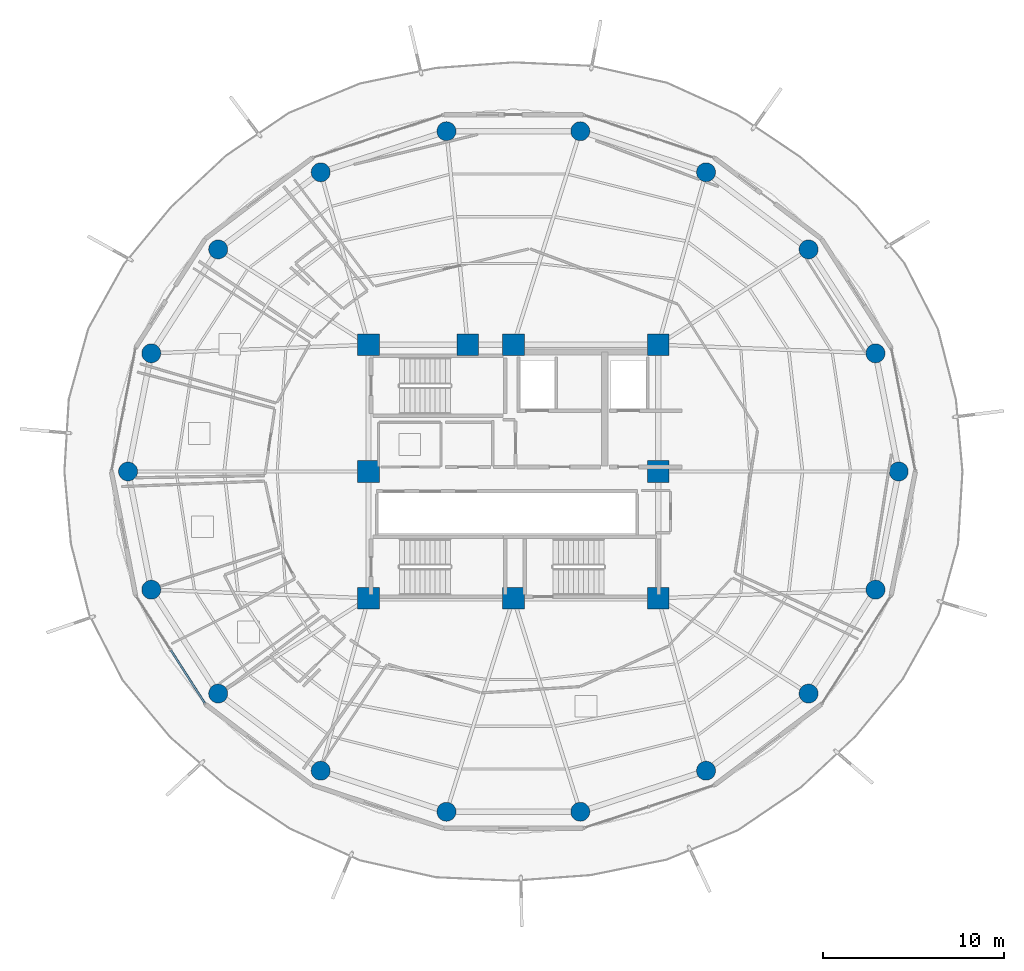
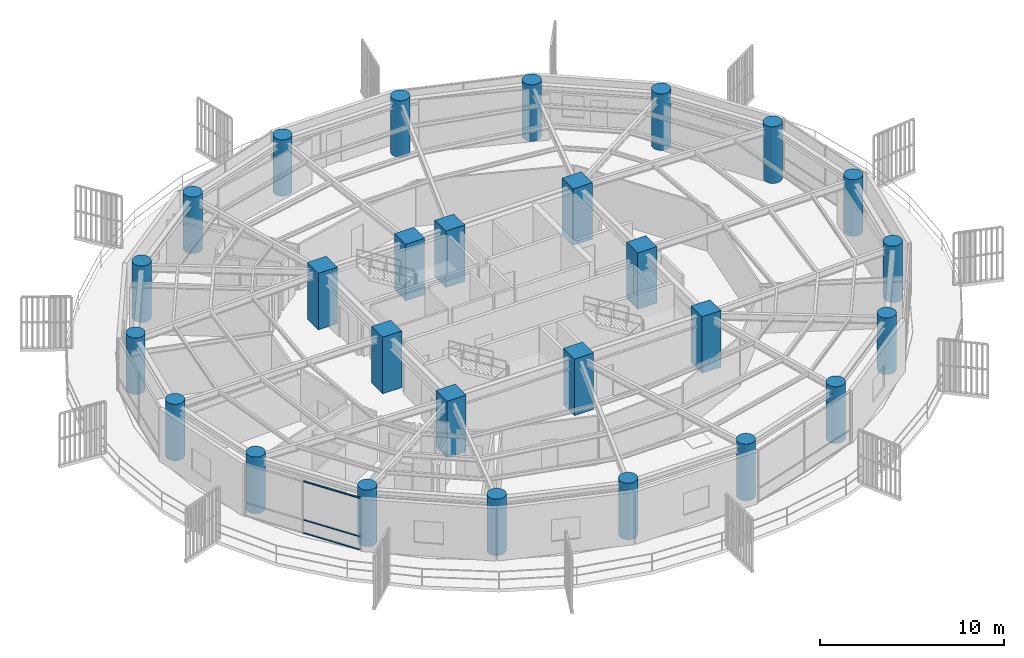
# One storey, part 1 of 30: 27 columns, 3 members, 1 element without a shape of its own.
"""IFC4 building model written with IfcOpenShell, lengths in metres."""

import ifcopenshell
import ifcopenshell.guid

model = None  # the IFC model being written
_history = None  # IfcOwnerHistory: only IFC2X3 demands one
_inside = {}  # id of a spatial element -> (the spatial element, [elements in it])
_under = {}  # id of a project, library or spatial element -> (it, [spatial elements below it])
_declared = {}  # id of a project -> (the project, [libraries it declares])
_typed = {}  # id of a type object -> (the type object, [elements of that type])
_made_of = {}  # id of a material, layer set ... -> (it, [elements and type objects made of it])


def new_model(schema):
    """Start an empty IFC model of exactly this schema.

    Asked for "IFC4X3", IfcOpenShell would pick the latest addendum, in which some entities
    have other attributes; the version numbers below select the first issue.
    IFC2X3 requires an IfcOwnerHistory on every rooted entity: one is made here for all.
    """
    global model, _history
    if schema == "IFC4X3":
        model = ifcopenshell.file(schema_version=(4, 3, 0, 0))
    else:
        model = ifcopenshell.file(schema=schema)
    _inside.clear()
    _under.clear()
    _declared.clear()
    _typed.clear()
    _made_of.clear()
    _history = None
    if model.schema == "IFC2X3":
        org = make("IfcOrganization", Name="unknown")
        user = make(
            "IfcPersonAndOrganization",
            ThePerson=make("IfcPerson", FamilyName="unknown"),
            TheOrganization=org,
        )
        app = make(
            "IfcApplication",
            ApplicationDeveloper=org,
            Version="unknown",
            ApplicationFullName="unknown",
            ApplicationIdentifier="unknown",
        )
        _history = make(
            "IfcOwnerHistory",
            OwningUser=user,
            OwningApplication=app,
            ChangeAction="ADDED",
            CreationDate=0,
        )
    return model


def make(cls, **values):
    """One entity of the class cls with the attributes given. An attribute that is None is left unset."""
    return model.create_entity(
        cls, **{name: value for name, value in values.items() if value is not None}
    )


def rooted(cls, **values):
    """An entity with a GlobalId (a new one), such as an element, a storey or a relation."""
    return make(cls, GlobalId=ifcopenshell.guid.new(), OwnerHistory=_history, **values)


def si_unit(unit_type, name, prefix=None):
    """IfcSIUnit, for example si_unit("LENGTHUNIT", "METRE", prefix="MILLI")."""
    return make("IfcSIUnit", UnitType=unit_type, Prefix=prefix, Name=name)


def assignment(units):
    """IfcUnitAssignment: the units of a project."""
    return None if units is None else make("IfcUnitAssignment", Units=units)


def point(xyz):
    """IfcCartesianPoint."""
    return None if xyz is None else make("IfcCartesianPoint", Coordinates=xyz)


def direction(xyz):
    """IfcDirection."""
    return None if xyz is None else make("IfcDirection", DirectionRatios=xyz)


def frame(location, z_axis=None, x_axis=None):
    """IfcAxis2Placement3D, a coordinate frame: its origin and axes. An axis left out is left unset."""
    return make(
        "IfcAxis2Placement3D",
        Location=point(location),
        Axis=direction(z_axis),
        RefDirection=direction(x_axis),
    )


def frame_2d(location, x_axis=None):
    """IfcAxis2Placement2D, a coordinate frame in the plane: its origin and x axis."""
    return make(
        "IfcAxis2Placement2D", Location=point(location), RefDirection=direction(x_axis)
    )


def origin():
    """The frame at (0, 0, 0) with its axes left unset."""
    return frame((0.0, 0.0, 0.0))


def origin_2d():
    """The frame at (0, 0) in the plane with its x axis left unset."""
    return frame_2d((0.0, 0.0))


def place(relative_to, where):
    """IfcLocalPlacement: puts the frame where relative to a parent placement (None: the world)."""
    return make(
        "IfcLocalPlacement", PlacementRelTo=relative_to, RelativePlacement=where
    )


def context(
    kind, dimensions, precision=None, world=None, true_north=None, identifier=None
):
    """IfcGeometricRepresentationContext, for example the 3D "Model" context."""
    return make(
        "IfcGeometricRepresentationContext",
        ContextIdentifier=identifier,
        ContextType=kind,
        CoordinateSpaceDimension=dimensions,
        Precision=precision,
        WorldCoordinateSystem=world,
        TrueNorth=true_north,
    )


def subcontext(parent, identifier, kind, view, scale=None):
    """IfcGeometricRepresentationSubContext, for example "Body" below "Model"."""
    return make(
        "IfcGeometricRepresentationSubContext",
        ContextIdentifier=identifier,
        ContextType=kind,
        ParentContext=parent,
        TargetScale=scale,
        TargetView=view,
    )


def project(units=None, contexts=None):
    """IfcProject with its units and contexts."""
    return rooted(
        "IfcProject",
        Name="project",
        RepresentationContexts=contexts,
        UnitsInContext=assignment(units),
    )


def spatial(cls, under=None, at=None, **own):
    """A site, building, storey or space (cls), placed at a placement, below another one or the project."""
    s = rooted(cls, ObjectPlacement=at, **own)
    if under is not None:
        _under.setdefault(under.id(), (under, []))[1].append(s)
    return s


def profile(cls, at=None, kind="AREA", **sizes):
    """A parametric profile (cls). Its sizes go by their IFC names, for example OverallWidth=200.0."""
    return make(cls, ProfileType=kind, Position=at, **sizes)


def rectangle(**sizes):
    """IfcRectangleProfileDef."""
    return profile("IfcRectangleProfileDef", **sizes)


def hollow_rectangle(**sizes):
    """IfcRectangleHollowProfileDef."""
    return profile("IfcRectangleHollowProfileDef", **sizes)


def circle(**sizes):
    """IfcCircleProfileDef."""
    return profile("IfcCircleProfileDef", **sizes)


def extrude(swept, where, along, depth):
    """IfcExtrudedAreaSolid: the profile swept, set in the frame where, extruded along a direction by depth."""
    return make(
        "IfcExtrudedAreaSolid",
        SweptArea=swept,
        Position=where,
        ExtrudedDirection=direction(along),
        Depth=depth,
    )


def shape(context_of_items, identifier, shape_type, items):
    """IfcShapeRepresentation: the items that make up one representation, for example the "Body"."""
    return make(
        "IfcShapeRepresentation",
        ContextOfItems=context_of_items,
        RepresentationIdentifier=identifier,
        RepresentationType=shape_type,
        Items=items,
    )


def material(Name=None, Category=None):
    """IfcMaterial."""
    return make("IfcMaterial", Name=Name, Category=Category)


def layer(
    of_material, thickness, ventilated=None, Name=None, Category=None, Priority=None
):
    """IfcMaterialLayer: one layer of a wall or slab, of a material (None: an air gap)."""
    return make(
        "IfcMaterialLayer",
        Material=of_material,
        LayerThickness=thickness,
        IsVentilated=ventilated,
        Name=Name,
        Category=Category,
        Priority=Priority,
    )


def layer_set(layers, Name=None):
    """IfcMaterialLayerSet."""
    return make("IfcMaterialLayerSet", MaterialLayers=layers, LayerSetName=Name)


def material_profile(
    of_material, cross_section, Name=None, Category=None, Priority=None
):
    """IfcMaterialProfile: a cross section and its material."""
    return make(
        "IfcMaterialProfile",
        Name=Name,
        Material=of_material,
        Profile=cross_section,
        Priority=Priority,
        Category=Category,
    )


def profile_set(profiles, Name=None, composite=None):
    """IfcMaterialProfileSet."""
    return make(
        "IfcMaterialProfileSet",
        Name=Name,
        MaterialProfiles=profiles,
        CompositeProfile=composite,
    )


def made_of(thing, what):
    """Note that an element or type object is made of a material, layer set ...; save() writes the relation."""
    if what is not None:
        _made_of.setdefault(what.id(), (what, []))[1].append(thing)
    return thing


def type_object(cls, material=None, **own):
    """A type object (cls), such as IfcWallType, which elements share."""
    return made_of(rooted(cls, **own), material)


def element(
    cls,
    number,
    at=None,
    inside=None,
    cuts=None,
    type_object=None,
    material=None,
    context=None,
    identifier="Body",
    shape_type=None,
    held_by="IfcProductDefinitionShape",
    body=None,
    shapes=None,
    **own,
):
    """One element of the class cls, such as IfcWall. Its Tag is "e" and its number.

    at: its placement. inside: the storey or other place that contains it. cuts: it is an
    opening in that element (IfcRelVoidsElement). A single representation is given by context,
    identifier, shape_type and body (its items); several are given by shapes. held_by: the class
    of the entity that holds the representations. save() writes the other relations.
    """
    e = rooted(cls, Tag="e%d" % number, ObjectPlacement=at, **own)
    if body is not None:
        shapes = [shape(context, identifier, shape_type, body)]
    if shapes is not None:
        e.Representation = make(held_by, Representations=shapes)
    if inside is not None:
        _inside.setdefault(inside.id(), (inside, []))[1].append(e)
    if cuts is not None:
        rooted(
            "IfcRelVoidsElement", RelatingBuildingElement=cuts, RelatedOpeningElement=e
        )
    if type_object is not None:
        _typed.setdefault(type_object.id(), (type_object, []))[1].append(e)
    return made_of(e, material)


def aggregate(whole, parts):
    """IfcRelAggregates: a whole, such as a stair, and the parts it consists of."""
    return rooted("IfcRelAggregates", RelatingObject=whole, RelatedObjects=parts)


def save(model, path):
    """Write the relations noted so far, then the file.

    IfcRelAggregates (storeys below a building ...), IfcRelContainedInSpatialStructure (elements
    in a storey), IfcRelDefinesByType, IfcRelAssociatesMaterial and IfcRelDeclares: one each for
    every whole, place, type object, material and project.
    """
    for whole, parts in _under.values():
        aggregate(whole, parts)
    for where, things in _inside.values():
        rooted(
            "IfcRelContainedInSpatialStructure",
            RelatedElements=things,
            RelatingStructure=where,
        )
    for kind, things in _typed.values():
        rooted("IfcRelDefinesByType", RelatedObjects=things, RelatingType=kind)
    for what, things in _made_of.values():
        rooted("IfcRelAssociatesMaterial", RelatedObjects=things, RelatingMaterial=what)
    for by, libraries in _declared.values():
        rooted("IfcRelDeclares", RelatingContext=by, RelatedDefinitions=libraries)
    model.write(path)


model = new_model("IFC4")

# Units and contexts
model_context = context("Model", 3, precision=1e-05, world=origin(), true_north=direction((0.0, 1.0)))
body_context = subcontext(model_context, "Body", "Model", "MODEL_VIEW")
ifc_project = project(units=[si_unit("LENGTHUNIT", "METRE"), si_unit("AREAUNIT", "SQUARE_METRE"), si_unit("VOLUMEUNIT", "CUBIC_METRE"), si_unit("PLANEANGLEUNIT", "RADIAN"), si_unit("MASSUNIT", "GRAM", prefix="KILO")], contexts=[model_context])

# Site, building, storey
site_placement = place(None, origin())
site = spatial("IfcSite", under=ifc_project, at=site_placement, CompositionType="ELEMENT")
building_placement = place(site_placement, origin())
building = spatial("IfcBuilding", under=site, at=building_placement, Name="Kelanora Arch Commons", CompositionType="ELEMENT")
storey_placement = place(building_placement, frame((0.0, 0.0, 215.699951171875)))
storey = spatial("IfcBuildingStorey", under=building, at=storey_placement, Name="L55", CompositionType="ELEMENT", Elevation=215.699951171875)

# Columns
ifc_material_1 = material(Name="Concrete C50/60", Category="concrete")
ifc_material_profile_1 = material_profile(ifc_material_1, circle(Radius=0.52490234375, at=origin_2d()), Name="RCC1050")
ifc_profile_set_1 = profile_set([ifc_material_profile_1], Name="Concrete C50/60")
column_type_1 = type_object("IfcColumnType", Name="COL-PERIM-Z4", PredefinedType="COLUMN", material=ifc_profile_set_1)
for number, where, z_axis, x_axis, name in (
    (1, (95.280029296875, 58.0, 0.0), (0.0, 0.0, 1.0), (1.0, 0.0, 0.0), "Perimeter Ring Column CP-00 L55"),
    (2, (93.99658203125, 64.525634765625, 0.0), (0.0, 0.0, 1.0), (1.0, 0.0, 0.0), "Perimeter Ring Column CP-02 L55"),
    (3, (90.301513671875, 70.264404296875, 0.0), (0.0, 0.0, 1.0), (1.0, 0.0, 0.0), "Perimeter Ring Column CP-04 L55"),
    (4, (84.639892578125, 74.523681640625, 0.0), (0.0, 0.0, 1.0), (1.0, 0.0, 0.0), "Perimeter Ring Column CP-06 L55"),
    (5, (77.6953125, 76.7900390625, 0.0), (0.0, 0.0, 1.0), (1.0, 0.0, 0.0), "Perimeter Ring Column CP-08 L55"),
    (6, (70.3046875, 76.7900390625, 0.0), (0.0, 0.0, 1.0), (1.0, 0.0, 0.0), "Perimeter Ring Column CP-10 L55"),
    (7, (63.360107421875, 74.523681640625, 0.0), (0.0, 0.0, 1.0), (1.0, 0.0, 0.0), "Perimeter Ring Column CP-12 L55"),
    (8, (57.698486328125, 70.264404296875, 0.0), (0.0, 0.0, 1.0), (1.0, 0.0, 0.0), "Perimeter Ring Column CP-14 L55"),
    (9, (54.00341796875, 64.525634765625, 0.0), (0.0, 0.0, 1.0), (1.0, 0.0, 0.0), "Perimeter Ring Column CP-16 L55"),
    (10, (52.719970703125, 58.0, 0.0), (0.0, 0.0, 1.0), (1.0, 0.0, 0.0), "Perimeter Ring Column CP-18 L55"),
    (11, (54.00341796875, 51.474365234375, 0.0), (0.0, 0.0, 1.0), (1.0, 0.0, 0.0), "Perimeter Ring Column CP-20 L55"),
    (12, (57.698486328125, 45.735595703125, 0.0), (0.0, 0.0, 1.0), (1.0, 0.0, 0.0), "Perimeter Ring Column CP-22 L55"),
    (13, (63.360107421875, 41.476318359375, 0.0), (0.0, 0.0, 1.0), (1.0, 0.0, 0.0), "Perimeter Ring Column CP-24 L55"),
    (14, (70.3046875, 39.2099609375, 0.0), (0.0, 0.0, 1.0), (1.0, 0.0, 0.0), "Perimeter Ring Column CP-26 L55"),
    (15, (77.6953125, 39.2099609375, 0.0), (0.0, 0.0, 1.0), (1.0, 0.0, 0.0), "Perimeter Ring Column CP-28 L55"),
    (16, (84.639892578125, 41.476318359375, 0.0), (0.0, 0.0, 1.0), (1.0, 0.0, 0.0), "Perimeter Ring Column CP-30 L55"),
    (17, (90.301513671875, 45.735595703125, 0.0), (0.0, 0.0, 1.0), (1.0, 0.0, 0.0), "Perimeter Ring Column CP-32 L55"),
    (18, (93.99658203125, 51.474365234375, 0.0), (0.0, 0.0, 1.0), (1.0, 0.0, 0.0), "Perimeter Ring Column CP-34 L55"),
):
    element("IfcColumn", number, at=place(storey_placement, frame(where, z_axis=z_axis, x_axis=x_axis)), inside=storey, type_object=column_type_1, Name=name, PredefinedType="COLUMN", context=body_context, shape_type="SweptSolid", body=[
        extrude(circle(Radius=0.52490234375, at=origin_2d()), origin(), (0.0, 0.0, 1.0), 3.75),
    ])
ifc_material_2 = material(Name="Concrete C60/75", Category="concrete")
ifc_material_profile_2 = material_profile(ifc_material_2, rectangle(XDim=1.199951171875, YDim=1.199951171875, at=origin_2d()), Name="RC1200x1200")
ifc_profile_set_2 = profile_set([ifc_material_profile_2], Name="Concrete C60/75")
column_type_2 = type_object("IfcColumnType", Name="COL-PIL-MID", PredefinedType="PILASTER", material=ifc_profile_set_2)
for number, where, z_axis, x_axis, name in (
    (19, (66.0, 51.0, 0.0), (0.0, 0.0, 1.0), (1.0, 0.0, 0.0), "Core Pilaster Column CP1 L55"),
    (20, (74.0, 51.0, 0.0), (0.0, 0.0, 1.0), (1.0, 0.0, 0.0), "Core Pilaster Column CP2 L55"),
    (21, (82.0, 51.0, 0.0), (0.0, 0.0, 1.0), (1.0, 0.0, 0.0), "Core Pilaster Column CP3 L55"),
    (22, (82.0, 58.0, 0.0), (0.0, 0.0, 1.0), (1.0, 0.0, 0.0), "Core Pilaster Column CP4 L55"),
    (23, (82.0, 65.0, 0.0), (0.0, 0.0, 1.0), (1.0, 0.0, 0.0), "Core Pilaster Column CP5 L55"),
    (24, (74.0, 65.0, 0.0), (0.0, 0.0, 1.0), (1.0, 0.0, 0.0), "Core Pilaster Column CP6 L55"),
    (25, (71.47998046875, 65.0, 0.0), (0.0, 0.0, 1.0), (1.0, 0.0, 0.0), "Core Pilaster Column CP9 L55"),
    (26, (66.0, 65.0, 0.0), (0.0, 0.0, 1.0), (1.0, 0.0, 0.0), "Core Pilaster Column CP7 L55"),
    (27, (66.0, 58.0, 0.0), (0.0, 0.0, 1.0), (1.0, 0.0, 0.0), "Core Pilaster Column CP8 L55"),
):
    element("IfcColumn", number, at=place(storey_placement, frame(where, z_axis=z_axis, x_axis=x_axis)), inside=storey, type_object=column_type_2, Name=name, PredefinedType="PILASTER", context=body_context, shape_type="SweptSolid", body=[
        extrude(rectangle(XDim=1.199951171875, YDim=1.199951171875, at=origin_2d()), origin(), (0.0, 0.0, 1.0), 3.75),
    ])

# Curtain wall, members
ifc_material_3 = material(Name="Terracotta ceramic-fritted low-E glass and aluminium", Category="masonry")
ifc_layer = layer(ifc_material_3, 0.175048828125)
ifc_layer_set = layer_set([ifc_layer], Name="Terracotta ceramic-fritted low-E glass and aluminium")
curtain_wall_type = type_object("IfcCurtainWallType", Name="CW-SYS-02", PredefinedType="NOTDEFINED", material=ifc_layer_set)
curtain_wall_placement = place(storey_placement, origin())
curtain_wall = element("IfcCurtainWall", 28, at=curtain_wall_placement, inside=storey, type_object=curtain_wall_type, Name="Unitised Curtain Wall L55-B10", PredefinedType="NOTDEFINED")
ifc_material_4 = material(Name="Powder-coated aluminium terracotta", Category="masonry")
ifc_material_profile_3 = material_profile(ifc_material_4, hollow_rectangle(XDim=0.1201171875, YDim=0.06005859375, WallThickness=0.0048828125, InnerFilletRadius=0.0048828125, OuterFilletRadius=0.010009765625, at=origin_2d()), Name="CWT120x60")
ifc_profile_set_3 = profile_set([ifc_material_profile_3], Name="Powder-coated aluminium terracotta")
member_type = type_object("IfcMemberType", Name="CWT-STD", PredefinedType="USERDEFINED", material=ifc_profile_set_3)
member_1_placement = place(storey_placement, frame((55.08251953125, 48.126708984375, 0.030029296875), z_axis=(0.53954710894, -0.841955412854, 0.0), x_axis=(0.841955412854, 0.53954710894, 0.0)))
member_1 = element("IfcMember", 29, at=member_1_placement, type_object=member_type, Name="CW-02 transom 2.1", ObjectType="TRANSOM", PredefinedType="USERDEFINED", context=body_context, shape_type="SweptSolid", body=[
    extrude(hollow_rectangle(XDim=0.1201171875, YDim=0.06005859375, WallThickness=0.0048828125, InnerFilletRadius=0.0048828125, OuterFilletRadius=0.010009765625, at=origin_2d()), origin(), (0.0, 0.0, 1.0), 3.467529296875),
])
member_2_placement = place(storey_placement, frame((55.08251953125, 48.126708984375, 0.900146484375), z_axis=(0.53954710894, -0.841955412854, 0.0), x_axis=(0.841955412854, 0.53954710894, 0.0)))
member_2 = element("IfcMember", 30, at=member_2_placement, type_object=member_type, Name="CW-02 transom 2.2", ObjectType="TRANSOM", PredefinedType="USERDEFINED", context=body_context, shape_type="SweptSolid", body=[
    extrude(hollow_rectangle(XDim=0.1201171875, YDim=0.06005859375, WallThickness=0.0048828125, InnerFilletRadius=0.0048828125, OuterFilletRadius=0.010009765625, at=origin_2d()), origin(), (0.0, 0.0, 1.0), 3.467529296875),
])
member_3_placement = place(storey_placement, frame((55.08251953125, 48.126708984375, 3.445068359375), z_axis=(0.53954710894, -0.841955412854, 0.0), x_axis=(0.841955412854, 0.53954710894, 0.0)))
member_3 = element("IfcMember", 31, at=member_3_placement, type_object=member_type, Name="CW-02 transom 2.3", ObjectType="TRANSOM", PredefinedType="USERDEFINED", context=body_context, shape_type="SweptSolid", body=[
    extrude(hollow_rectangle(XDim=0.1201171875, YDim=0.06005859375, WallThickness=0.0048828125, InnerFilletRadius=0.0048828125, OuterFilletRadius=0.010009765625, at=origin_2d()), origin(), (0.0, 0.0, 1.0), 3.467529296875),
])
aggregate(curtain_wall, [member_1, member_2, member_3])

save(model, "model.ifc")
